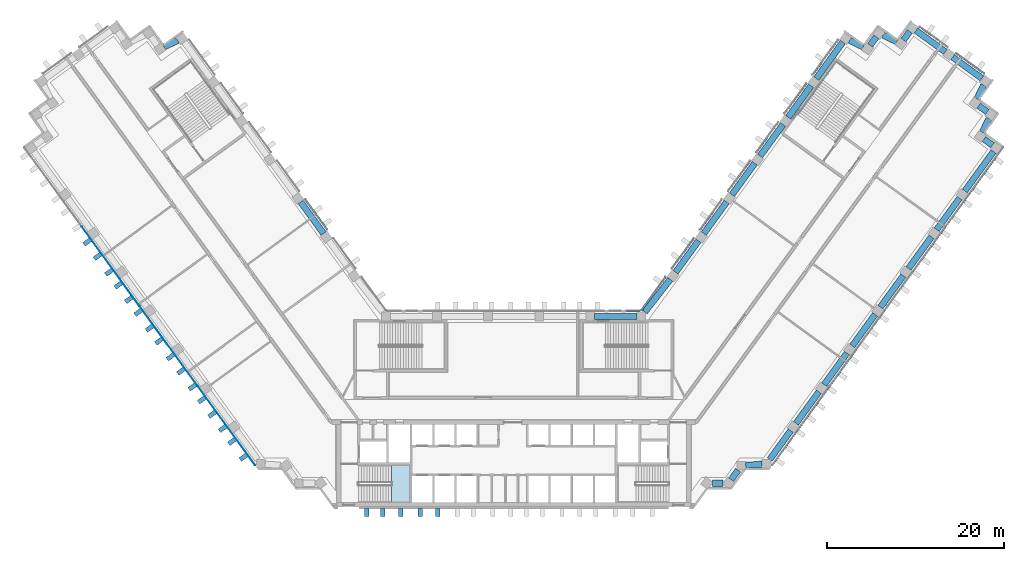
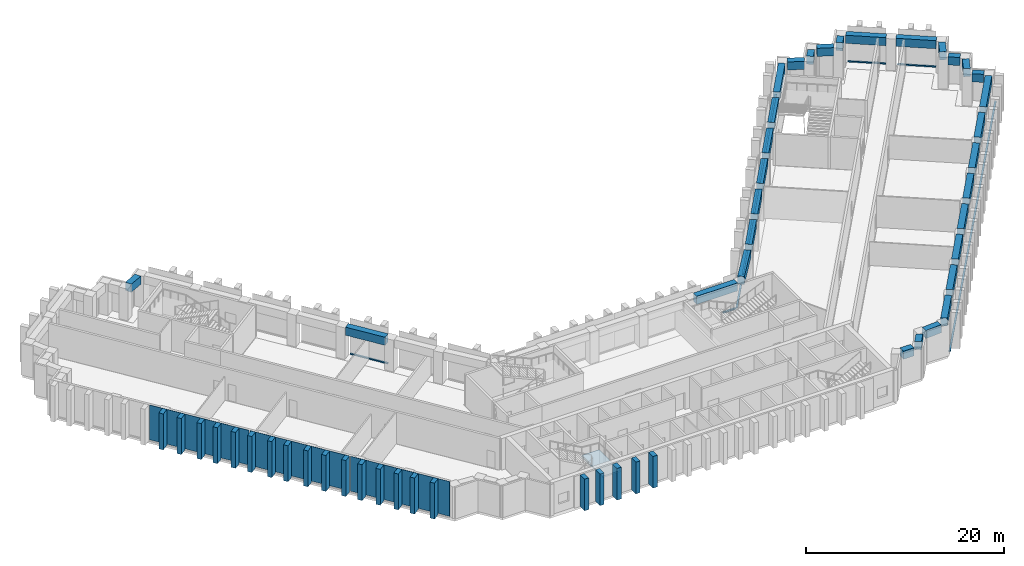
"""IFC4 building model written with IfcOpenShell, lengths in metres."""

from ifc_helpers import new_model, si_unit, direction, frame, origin, origin_2d, place, context, subcontext, project, spatial, polyline, rectangle, outline, extrude, material, layer, layer_set, material_profile, profile_set, type_object, element, aggregate, save


model = new_model("IFC4")

# Units and contexts
model_context = context("Model", 3, precision=1e-05, world=origin(), true_north=direction((0.0, 1.0)))
body_context = subcontext(model_context, "Body", "Model", "MODEL_VIEW")
ifc_project = project(units=[si_unit("LENGTHUNIT", "METRE"), si_unit("AREAUNIT", "SQUARE_METRE"), si_unit("VOLUMEUNIT", "CUBIC_METRE"), si_unit("PLANEANGLEUNIT", "RADIAN"), si_unit("MASSUNIT", "GRAM", prefix="KILO")], contexts=[model_context])

# Site, building, storey
site_placement = place(None, origin())
site = spatial("IfcSite", under=ifc_project, at=site_placement, CompositionType="ELEMENT")
building_placement = place(site_placement, origin())
building = spatial("IfcBuilding", under=site, at=building_placement, Name="Quipu Civic Tower", CompositionType="ELEMENT")
storey_1_placement = place(building_placement, frame((0.0, 0.0, 20.5)))
storey_1 = spatial("IfcBuildingStorey", under=building, at=storey_1_placement, Name="L04", CompositionType="ELEMENT", Elevation=20.5)

# Beams
ifc_material_1 = material(Name="Concrete C50/60", Category="concrete")
ifc_material_profile_1 = material_profile(ifc_material_1, rectangle(XDim=0.699951171875, YDim=1.0, at=origin_2d()), Name="RC700x1000")
ifc_profile_set_1 = profile_set([ifc_material_profile_1], Name="Concrete C50/60")
beam_type = type_object("IfcBeamType", Name="Spandrel beam RC 700x1000 C50/60", PredefinedType="SPANDREL", material=ifc_profile_set_1)
beam_1_placement = place(storey_1_placement, frame((-21.441162109375, 19.848388671875, 3.39990234375), z_axis=(-0.587759228046, 0.809035901457, 0.0), x_axis=(-0.809035901457, -0.587759228046, 0.0)))
element("IfcBeam", 1, at=beam_1_placement, inside=storey_1, type_object=beam_type, Name="Spandrel beam L04 W-IN-02 to W-IN-03", PredefinedType="SPANDREL", context=body_context, shape_type="SweptSolid", body=[
    extrude(rectangle(XDim=0.699951171875, YDim=1.0, at=origin_2d()), origin(), (0.0, 0.0, 1.0), 4.400146484375),
])
beam_2_placement = place(storey_1_placement, frame((-37.8837890625, 41.630859375, 3.39990234375), z_axis=(-0.902482283387, -0.43072697637, 0.0), x_axis=(0.43072697637, -0.902482283387, 0.0)))
element("IfcBeam", 2, at=beam_2_placement, inside=storey_1, type_object=beam_type, Name="Spandrel beam L04 T-Wi.0-W50 to T-Wi.1-W50", PredefinedType="SPANDREL", context=body_context, shape_type="SweptSolid", body=[
    extrude(rectangle(XDim=0.699951171875, YDim=1.0, at=origin_2d()), origin(), (0.0, 0.0, 1.0), 1.731689453125),
])
beam_3_placement = place(storey_1_placement, frame((22.409912109375, -8.31494140625, 3.39990234375), z_axis=(1.0, 0.0, 0.0), x_axis=(0.0, 1.0, 0.0)))
element("IfcBeam", 3, at=beam_3_placement, inside=storey_1, type_object=beam_type, Name="Spandrel beam L04 J-Eo.1 to J-Eo.2", PredefinedType="SPANDREL", context=body_context, shape_type="SweptSolid", body=[
    extrude(rectangle(XDim=0.699951171875, YDim=1.0, at=origin_2d()), origin(), (0.0, 0.0, 1.0), 1.20703125),
])
beam_4_placement = place(storey_1_placement, frame((24.529296875, -7.91064453125, 3.39990234375), z_axis=(0.588346597772, 0.808608855313, 0.0), x_axis=(-0.808608855313, 0.588346597772, 0.0)))
element("IfcBeam", 4, at=beam_4_placement, inside=storey_1, type_object=beam_type, Name="Spandrel beam L04 J-Eo.2 to J-Eo.3", PredefinedType="SPANDREL", context=body_context, shape_type="SweptSolid", body=[
    extrude(rectangle(XDim=0.699951171875, YDim=1.0, at=origin_2d()), origin(), (0.0, 0.0, 1.0), 1.327880859375),
])
beam_5_placement = place(storey_1_placement, frame((26.17431640625, -6.30078125, 3.39990234375), z_axis=(0.997368412419, 0.072499999372, 0.0), x_axis=(-0.072499999372, 0.997368412419, 0.0)))
element("IfcBeam", 5, at=beam_5_placement, inside=storey_1, type_object=beam_type, Name="Spandrel beam L04 J-Eo.3 to J-Eo.4", PredefinedType="SPANDREL", context=body_context, shape_type="SweptSolid", body=[
    extrude(rectangle(XDim=0.699951171875, YDim=1.0, at=origin_2d()), origin(), (0.0, 0.0, 1.0), 1.85546875),
])
beam_6_placement = place(storey_1_placement, frame((28.88818359375, -5.6298828125, 3.39990234375), z_axis=(0.587811022966, 0.808998270258, 0.0), x_axis=(-0.808998270258, 0.587811022966, 0.0)))
element("IfcBeam", 6, at=beam_6_placement, inside=storey_1, type_object=beam_type, Name="Spandrel beam L04 J-Eo.4 to E-OUT-01", PredefinedType="SPANDREL", context=body_context, shape_type="SweptSolid", body=[
    extrude(rectangle(XDim=0.699951171875, YDim=1.0, at=origin_2d()), origin(), (0.0, 0.0, 1.0), 4.025390625),
])
for number, where, z_axis, x_axis, name in (
    (7, (31.84228515625, -1.564208984375, 3.39990234375), (0.587759228046, 0.809035901457, 0.0), (-0.809035901457, 0.587759228046, 0.0), "Spandrel beam L04 E-OUT-01 to E-OUT-02"),
    (8, (35.01611328125, 2.804443359375, 3.39990234375), (0.587759228046, 0.809035901457, 0.0), (-0.809035901457, 0.587759228046, 0.0), "Spandrel beam L04 E-OUT-02 to E-OUT-03"),
    (9, (38.190185546875, 7.173095703125, 3.39990234375), (0.58779554378, 0.809009517072, 0.0), (-0.809009517072, 0.58779554378, 0.0), "Spandrel beam L04 E-OUT-03 to E-OUT-04"),
    (10, (41.3642578125, 11.5419921875, 3.39990234375), (0.587759228046, 0.809035901457, 0.0), (-0.809035901457, 0.587759228046, 0.0), "Spandrel beam L04 E-OUT-04 to E-OUT-05"),
):
    element("IfcBeam", number, at=place(storey_1_placement, frame(where, z_axis=z_axis, x_axis=x_axis)), inside=storey_1, type_object=beam_type, Name=name, PredefinedType="SPANDREL", context=body_context, shape_type="SweptSolid", body=[
        extrude(rectangle(XDim=0.699951171875, YDim=1.0, at=origin_2d()), origin(), (0.0, 0.0, 1.0), 4.400146484375),
    ])
beam_7_placement = place(storey_1_placement, frame((44.538330078125, 15.91064453125, 3.39990234375), z_axis=(0.587785613349, 0.809016732052, 0.0), x_axis=(-0.809016732052, 0.587785613349, 0.0)))
element("IfcBeam", 11, at=beam_7_placement, inside=storey_1, type_object=beam_type, Name="Spandrel beam L04 E-OUT-05 to E-OUT-06", PredefinedType="SPANDREL", context=body_context, shape_type="SweptSolid", body=[
    extrude(rectangle(XDim=0.699951171875, YDim=1.0, at=origin_2d()), origin(), (0.0, 0.0, 1.0), 4.39990234375),
])
beam_8_placement = place(storey_1_placement, frame((47.71240234375, 20.279296875, 3.39990234375), z_axis=(0.587759228046, 0.809035901457, 0.0), x_axis=(-0.809035901457, 0.587759228046, 0.0)))
element("IfcBeam", 12, at=beam_8_placement, inside=storey_1, type_object=beam_type, Name="Spandrel beam L04 E-OUT-06 to E-OUT-07", PredefinedType="SPANDREL", context=body_context, shape_type="SweptSolid", body=[
    extrude(rectangle(XDim=0.699951171875, YDim=1.0, at=origin_2d()), origin(), (0.0, 0.0, 1.0), 4.400146484375),
])
beam_9_placement = place(storey_1_placement, frame((50.88623046875, 24.64794921875, 3.39990234375), z_axis=(0.587765432916, 0.809031393624, 0.0), x_axis=(-0.809031393624, 0.587765432916, 0.0)))
element("IfcBeam", 13, at=beam_9_placement, inside=storey_1, type_object=beam_type, Name="Spandrel beam L04 E-OUT-07 to T-Eo.0-E50", PredefinedType="SPANDREL", context=body_context, shape_type="SweptSolid", body=[
    extrude(rectangle(XDim=0.699951171875, YDim=1.0, at=origin_2d()), origin(), (0.0, 0.0, 1.0), 5.503662109375),
])
beam_10_placement = place(storey_1_placement, frame((54.0107421875, 29.79931640625, 3.39990234375), z_axis=(-0.808630508091, 0.588316837584, 0.0), x_axis=(-0.588316837584, -0.808630508091, 0.0)))
element("IfcBeam", 14, at=beam_10_placement, inside=storey_1, type_object=beam_type, Name="Spandrel beam L04 T-Eo.0-E50 to T-Eo.1-E50", PredefinedType="SPANDREL", context=body_context, shape_type="SweptSolid", body=[
    extrude(rectangle(XDim=0.699951171875, YDim=1.0, at=origin_2d()), origin(), (0.0, 0.0, 1.0), 1.2001953125),
])
beam_11_placement = place(storey_1_placement, frame((52.85546875, 31.258056640625, 3.39990234375), z_axis=(0.431370473785, 0.902174880135, 0.0), x_axis=(-0.902174880135, 0.431370473785, 0.0)))
element("IfcBeam", 15, at=beam_11_placement, inside=storey_1, type_object=beam_type, Name="Spandrel beam L04 T-Eo.1-E50 to T-Eo.2-E50", PredefinedType="SPANDREL", context=body_context, shape_type="SweptSolid", body=[
    extrude(rectangle(XDim=0.699951171875, YDim=1.0, at=origin_2d()), origin(), (0.0, 0.0, 1.0), 1.727294921875),
])
beam_12_placement = place(storey_1_placement, frame((53.415771484375, 33.569091796875, 3.39990234375), z_axis=(-0.808586856323, 0.588376831446, 0.0), x_axis=(-0.588376831446, -0.808586856323, 0.0)))
element("IfcBeam", 16, at=beam_12_placement, inside=storey_1, type_object=beam_type, Name="Spandrel beam L04 T-Eo.2-E50 to T-Eo.3-E50", PredefinedType="SPANDREL", context=body_context, shape_type="SweptSolid", body=[
    extrude(rectangle(XDim=0.699951171875, YDim=1.0, at=origin_2d()), origin(), (0.0, 0.0, 1.0), 1.202880859375),
])
beam_13_placement = place(storey_1_placement, frame((52.257568359375, 35.0302734375, 3.39990234375), z_axis=(0.430185740912, 0.902740399182, 0.0), x_axis=(-0.902740399182, 0.430185740912, 0.0)))
element("IfcBeam", 17, at=beam_13_placement, inside=storey_1, type_object=beam_type, Name="Spandrel beam L04 T-Eo.3-E50 to T-Eo.4-E50", PredefinedType="SPANDREL", context=body_context, shape_type="SweptSolid", body=[
    extrude(rectangle(XDim=0.699951171875, YDim=1.0, at=origin_2d()), origin(), (0.0, 0.0, 1.0), 1.728759765625),
])
beam_14_placement = place(storey_1_placement, frame((52.8154296875, 37.343994140625, 3.39990234375), z_axis=(-0.808980758408, 0.587835123589, 0.0), x_axis=(-0.587835123589, -0.808980758408, 0.0)))
element("IfcBeam", 18, at=beam_14_placement, inside=storey_1, type_object=beam_type, Name="Spandrel beam L04 T-Eo.4-E50 to TIP-E-01-E50", PredefinedType="SPANDREL", context=body_context, shape_type="SweptSolid", body=[
    extrude(rectangle(XDim=0.699951171875, YDim=1.0, at=origin_2d()), origin(), (0.0, 0.0, 1.0), 4.097900390625),
])
beam_15_placement = place(storey_1_placement, frame((48.69140625, 40.3408203125, 3.39990234375), z_axis=(-0.808983206573, 0.587831754401, 0.0), x_axis=(-0.587831754401, -0.808983206573, 0.0)))
element("IfcBeam", 19, at=beam_15_placement, inside=storey_1, type_object=beam_type, Name="Spandrel beam L04 TIP-E-01-E50 to T-Ei.0-E50", PredefinedType="SPANDREL", context=body_context, shape_type="SweptSolid", body=[
    extrude(rectangle(XDim=0.699951171875, YDim=1.0, at=origin_2d()), origin(), (0.0, 0.0, 1.0), 4.10009765625),
])
beam_16_placement = place(storey_1_placement, frame((44.67578125, 42.640625, 3.39990234375), z_axis=(-0.588461629015, -0.808525145667, 0.0), x_axis=(0.808525145667, -0.588461629015, 0.0)))
element("IfcBeam", 20, at=beam_16_placement, inside=storey_1, type_object=beam_type, Name="Spandrel beam L04 T-Ei.0-E50 to T-Ei.1-E50", PredefinedType="SPANDREL", context=body_context, shape_type="SweptSolid", body=[
    extrude(rectangle(XDim=0.699951171875, YDim=1.0, at=origin_2d()), origin(), (0.0, 0.0, 1.0), 1.201416015625),
])
beam_17_placement = place(storey_1_placement, frame((43.215576171875, 41.48388671875, 3.39990234375), z_axis=(-0.902651065962, 0.430373155666, 0.0), x_axis=(-0.430373155666, -0.902651065962, 0.0)))
element("IfcBeam", 21, at=beam_17_placement, inside=storey_1, type_object=beam_type, Name="Spandrel beam L04 T-Ei.1-E50 to T-Ei.2-E50", PredefinedType="SPANDREL", context=body_context, shape_type="SweptSolid", body=[
    extrude(rectangle(XDim=0.699951171875, YDim=1.0, at=origin_2d()), origin(), (0.0, 0.0, 1.0), 1.724609375),
])
beam_18_placement = place(storey_1_placement, frame((40.90576171875, 42.040771484375, 3.39990234375), z_axis=(-0.588316837584, -0.808630508091, 0.0), x_axis=(0.808630508091, -0.588316837584, 0.0)))
element("IfcBeam", 22, at=beam_18_placement, inside=storey_1, type_object=beam_type, Name="Spandrel beam L04 T-Ei.2-E50 to T-Ei.3-E50", PredefinedType="SPANDREL", context=body_context, shape_type="SweptSolid", body=[
    extrude(rectangle(XDim=0.699951171875, YDim=1.0, at=origin_2d()), origin(), (0.0, 0.0, 1.0), 1.2001953125),
])
beam_19_placement = place(storey_1_placement, frame((39.446533203125, 40.885009765625, 3.39990234375), z_axis=(-0.902482283387, 0.43072697637, 0.0), x_axis=(-0.43072697637, -0.902482283387, 0.0)))
element("IfcBeam", 23, at=beam_19_placement, inside=storey_1, type_object=beam_type, Name="Spandrel beam L04 T-Ei.3-E50 to T-Ei.4-E50", PredefinedType="SPANDREL", context=body_context, shape_type="SweptSolid", body=[
    extrude(rectangle(XDim=0.699951171875, YDim=1.0, at=origin_2d()), origin(), (0.0, 0.0, 1.0), 1.731689453125),
])
beam_20_placement = place(storey_1_placement, frame((37.131103515625, 41.445556640625, 3.39990234375), z_axis=(-0.587747065363, -0.809044737426, 0.0), x_axis=(0.809044737426, -0.587747065363, 0.0)))
element("IfcBeam", 24, at=beam_20_placement, inside=storey_1, type_object=beam_type, Name="Spandrel beam L04 T-Ei.4-E50 to E-IN-06", PredefinedType="SPANDREL", context=body_context, shape_type="SweptSolid", body=[
    extrude(rectangle(XDim=0.699951171875, YDim=1.0, at=origin_2d()), origin(), (0.0, 0.0, 1.0), 5.0947265625),
])
for number, where, z_axis, x_axis, name in (
    (25, (33.549072265625, 36.5146484375, 3.39990234375), (-0.587759228046, -0.809035901457, 0.0), (0.809035901457, -0.587759228046, 0.0), "Spandrel beam L04 E-IN-06 to E-IN-05"),
    (26, (30.375244140625, 32.145751953125, 3.39990234375), (-0.587759228046, -0.809035901457, 0.0), (0.809035901457, -0.587759228046, 0.0), "Spandrel beam L04 E-IN-05 to E-IN-04"),
    (27, (27.201416015625, 27.777099609375, 3.39990234375), (-0.587732844487, -0.809055068281, 0.0), (0.809055068281, -0.587732844487, 0.0), "Spandrel beam L04 E-IN-04 to E-IN-03"),
    (28, (24.02734375, 23.408203125, 3.39990234375), (-0.587759228046, -0.809035901457, 0.0), (0.809035901457, -0.587759228046, 0.0), "Spandrel beam L04 E-IN-03 to E-IN-02"),
):
    element("IfcBeam", number, at=place(storey_1_placement, frame(where, z_axis=z_axis, x_axis=x_axis)), inside=storey_1, type_object=beam_type, Name=name, PredefinedType="SPANDREL", context=body_context, shape_type="SweptSolid", body=[
        extrude(rectangle(XDim=0.699951171875, YDim=1.0, at=origin_2d()), origin(), (0.0, 0.0, 1.0), 4.400146484375),
    ])
beam_21_placement = place(storey_1_placement, frame((20.853515625, 19.039306640625, 3.39990234375), z_axis=(-0.587722908759, -0.809062285934, 0.0), x_axis=(0.809062285934, -0.587722908759, 0.0)))
element("IfcBeam", 29, at=beam_21_placement, inside=storey_1, type_object=beam_type, Name="Spandrel beam L04 E-IN-02 to E-IN-01", PredefinedType="SPANDREL", context=body_context, shape_type="SweptSolid", body=[
    extrude(rectangle(XDim=0.699951171875, YDim=1.0, at=origin_2d()), origin(), (0.0, 0.0, 1.0), 4.39990234375),
])
beam_22_placement = place(storey_1_placement, frame((17.665283203125, 14.680908203125, 3.39990234375), z_axis=(-0.616068753057, -0.787692383806, 0.0), x_axis=(0.787692383806, -0.616068753057, 0.0)))
element("IfcBeam", 30, at=beam_22_placement, inside=storey_1, type_object=beam_type, Name="Spandrel beam L04 E-IN-01 to J-Ei.0", PredefinedType="SPANDREL", context=body_context, shape_type="SweptSolid", body=[
    extrude(rectangle(XDim=0.699951171875, YDim=1.0, at=origin_2d()), origin(), (0.0, 0.0, 1.0), 4.673095703125),
])
beam_23_placement = place(storey_1_placement, frame((13.895263671875, 10.5, 3.39990234375), z_axis=(-1.0, 0.0, 0.0), x_axis=(0.0, -1.0, 0.0)))
element("IfcBeam", 31, at=beam_23_placement, inside=storey_1, type_object=beam_type, Name="Spandrel beam L04 J-Ei.0 to FRONT-01", PredefinedType="SPANDREL", context=body_context, shape_type="SweptSolid", body=[
    extrude(rectangle(XDim=0.699951171875, YDim=1.0, at=origin_2d()), origin(), (0.0, 0.0, 1.0), 4.758056640625),
])

# Storey
storey_2_placement = place(building_placement, frame((0.0, 0.0, 16.0)))
storey_2 = spatial("IfcBuildingStorey", under=building, at=storey_2_placement, Name="L03", CompositionType="ELEMENT", Elevation=16.0)

# Curtain wall, member
ifc_material_2 = material(Name="Insulated glass unit", Category="glass")
curtain_wall_type = type_object("IfcCurtainWallType", Name="Public services curtain wall CW3", PredefinedType="NOTDEFINED", material=ifc_material_2)
curtain_wall_1_placement = place(storey_2_placement, origin())
curtain_wall_1 = element("IfcCurtainWall", 32, at=curtain_wall_1_placement, inside=storey_2, type_object=curtain_wall_type, Name="Public services curtain wall CW3 L02 run 3", PredefinedType="NOTDEFINED")
ifc_material_3 = material(Name="Anodised aluminium", Category="aluminium")
ifc_material_profile_2 = material_profile(ifc_material_3, rectangle(XDim=0.199951171875, YDim=0.139892578125, at=origin_2d()), Name="RECT 200x140")
ifc_profile_set_2 = profile_set([ifc_material_profile_2], Name="Anodised aluminium")
member_type = type_object("IfcMemberType", Name="Transom CW3", PredefinedType="USERDEFINED", material=ifc_profile_set_2)
member_1_placement = place(storey_1_placement, frame((-21.01513671875, 20.281494140625, 0.070068359375), z_axis=(-0.587746486169, 0.809045158194, 0.0), x_axis=(-0.809045158194, -0.587746486169, 0.0)))
member_1 = element("IfcMember", 33, at=member_1_placement, inside=storey_1, type_object=member_type, Name="CW3 transom 1.3", ObjectType="TRANSOM", PredefinedType="USERDEFINED", context=body_context, shape_type="SweptSolid", body=[
    extrude(rectangle(XDim=0.199951171875, YDim=0.139892578125, at=origin_2d()), origin(), (0.0, 0.0, 1.0), 4.199951171875),
])
aggregate(curtain_wall_1, [member_1])

# Curtain wall, members
curtain_wall_2_placement = place(storey_2_placement, origin())
curtain_wall_2 = element("IfcCurtainWall", 34, at=curtain_wall_2_placement, inside=storey_2, type_object=curtain_wall_type, Name="Public services curtain wall CW3 L02 run 32", PredefinedType="NOTDEFINED")
member_2_placement = place(storey_1_placement, frame((29.164794921875, -6.2705078125, 0.070068359375), z_axis=(0.587772046886, 0.8090265885, 0.0), x_axis=(-0.8090265885, 0.587772046886, 0.0)))
member_2 = element("IfcMember", 35, at=member_2_placement, inside=storey_1, type_object=member_type, Name="CW3 transom 1.3", ObjectType="TRANSOM", PredefinedType="USERDEFINED", context=body_context, shape_type="SweptSolid", body=[
    extrude(rectangle(XDim=0.199951171875, YDim=0.139892578125, at=origin_2d()), origin(), (0.0, 0.0, 1.0), 10.971435546875),
])
member_3_placement = place(storey_1_placement, frame((35.67236328125, 2.6865234375, 0.070068359375), z_axis=(0.587777818391, 0.809022395368, 0.0), x_axis=(-0.809022395368, 0.587777818391, 0.0)))
member_3 = element("IfcMember", 36, at=member_3_placement, inside=storey_1, type_object=member_type, Name="CW3 transom 2.3", ObjectType="TRANSOM", PredefinedType="USERDEFINED", context=body_context, shape_type="SweptSolid", body=[
    extrude(rectangle(XDim=0.199951171875, YDim=0.139892578125, at=origin_2d()), origin(), (0.0, 0.0, 1.0), 11.021728515625),
])
member_4_placement = place(storey_1_placement, frame((42.20947265625, 11.68408203125, 0.070068359375), z_axis=(0.587788351912, 0.80901474236, 0.0), x_axis=(-0.80901474236, 0.587788351912, 0.0)))
member_4 = element("IfcMember", 37, at=member_4_placement, inside=storey_1, type_object=member_type, Name="CW3 transom 3.3", ObjectType="TRANSOM", PredefinedType="USERDEFINED", context=body_context, shape_type="SweptSolid", body=[
    extrude(rectangle(XDim=0.199951171875, YDim=0.139892578125, at=origin_2d()), origin(), (0.0, 0.0, 1.0), 11.021484375),
])
member_5_placement = place(storey_1_placement, frame((48.746337890625, 20.681640625, 0.070068359375), z_axis=(0.587797192867, 0.809008318905, 0.0), x_axis=(-0.809008318905, 0.587797192867, 0.0)))
member_5 = element("IfcMember", 38, at=member_5_placement, inside=storey_1, type_object=member_type, Name="CW3 transom 4.3", ObjectType="TRANSOM", PredefinedType="USERDEFINED", context=body_context, shape_type="SweptSolid", body=[
    extrude(rectangle(XDim=0.199951171875, YDim=0.139892578125, at=origin_2d()), origin(), (0.0, 0.0, 1.0), 10.971435546875),
])
aggregate(curtain_wall_2, [member_2, member_3, member_4, member_5])

# Curtain wall, member
curtain_wall_3_placement = place(storey_2_placement, origin())
curtain_wall_3 = element("IfcCurtainWall", 39, at=curtain_wall_3_placement, inside=storey_2, type_object=curtain_wall_type, Name="Public services curtain wall CW3 L02 run 37", PredefinedType="NOTDEFINED")
member_6_placement = place(storey_1_placement, frame((53.087158203125, 37.887939453125, 0.070068359375), z_axis=(-0.809009543625, 0.587795507233, 0.0), x_axis=(-0.587795507233, -0.809009543625, 0.0)))
member_6 = element("IfcMember", 40, at=member_6_placement, inside=storey_1, type_object=member_type, Name="CW3 transom 1.3", ObjectType="TRANSOM", PredefinedType="USERDEFINED", context=body_context, shape_type="SweptSolid", body=[
    extrude(rectangle(XDim=0.199951171875, YDim=0.139892578125, at=origin_2d()), origin(), (0.0, 0.0, 1.0), 3.89794921875),
])
aggregate(curtain_wall_3, [member_6])

curtain_wall_4_placement = place(storey_2_placement, origin())
curtain_wall_4 = element("IfcCurtainWall", 41, at=curtain_wall_4_placement, inside=storey_2, type_object=curtain_wall_type, Name="Public services curtain wall CW3 L02 run 38", PredefinedType="NOTDEFINED")
member_7_placement = place(storey_1_placement, frame((48.962646484375, 40.884521484375, 0.070068359375), z_axis=(-0.809041868783, 0.587751014083, 0.0), x_axis=(-0.587751014083, -0.809041868783, 0.0)))
member_7 = element("IfcMember", 42, at=member_7_placement, inside=storey_1, type_object=member_type, Name="CW3 transom 1.3", ObjectType="TRANSOM", PredefinedType="USERDEFINED", context=body_context, shape_type="SweptSolid", body=[
    extrude(rectangle(XDim=0.199951171875, YDim=0.139892578125, at=origin_2d()), origin(), (0.0, 0.0, 1.0), 3.89990234375),
])
aggregate(curtain_wall_4, [member_7])

curtain_wall_5_placement = place(storey_2_placement, origin())
curtain_wall_5 = element("IfcCurtainWall", 43, at=curtain_wall_5_placement, inside=storey_2, type_object=curtain_wall_type, Name="Public services curtain wall CW3 L02 run 43", PredefinedType="NOTDEFINED")
member_8_placement = place(storey_1_placement, frame((36.588134765625, 41.71630859375, 0.070068359375), z_axis=(-0.587792001702, -0.809012090599, 0.0), x_axis=(0.809012090599, -0.587792001702, 0.0)))
member_8 = element("IfcMember", 44, at=member_8_placement, inside=storey_1, type_object=member_type, Name="CW3 transom 1.3", ObjectType="TRANSOM", PredefinedType="USERDEFINED", context=body_context, shape_type="SweptSolid", body=[
    extrude(rectangle(XDim=0.199951171875, YDim=0.139892578125, at=origin_2d()), origin(), (0.0, 0.0, 1.0), 4.89453125),
])
aggregate(curtain_wall_5, [member_8])

curtain_wall_6_placement = place(storey_2_placement, origin())
curtain_wall_6 = element("IfcCurtainWall", 45, at=curtain_wall_6_placement, inside=storey_2, type_object=curtain_wall_type, Name="Public services curtain wall CW3 L02 run 44", PredefinedType="NOTDEFINED")
member_9_placement = place(storey_1_placement, frame((33.005859375, 36.78564453125, 0.070068359375), z_axis=(-0.587784533062, -0.809017516926, 0.0), x_axis=(0.809017516926, -0.587784533062, 0.0)))
member_9 = element("IfcMember", 46, at=member_9_placement, inside=storey_1, type_object=member_type, Name="CW3 transom 1.3", ObjectType="TRANSOM", PredefinedType="USERDEFINED", context=body_context, shape_type="SweptSolid", body=[
    extrude(rectangle(XDim=0.199951171875, YDim=0.139892578125, at=origin_2d()), origin(), (0.0, 0.0, 1.0), 4.2001953125),
])
aggregate(curtain_wall_6, [member_9])

curtain_wall_7_placement = place(storey_2_placement, origin())
curtain_wall_7 = element("IfcCurtainWall", 47, at=curtain_wall_7_placement, inside=storey_2, type_object=curtain_wall_type, Name="Public services curtain wall CW3 L02 run 45", PredefinedType="NOTDEFINED")
member_10_placement = place(storey_1_placement, frame((29.831787109375, 32.4169921875, 0.070068359375), z_axis=(-0.587746486169, -0.809045158194, 0.0), x_axis=(0.809045158194, -0.587746486169, 0.0)))
member_10 = element("IfcMember", 48, at=member_10_placement, inside=storey_1, type_object=member_type, Name="CW3 transom 1.3", ObjectType="TRANSOM", PredefinedType="USERDEFINED", context=body_context, shape_type="SweptSolid", body=[
    extrude(rectangle(XDim=0.199951171875, YDim=0.139892578125, at=origin_2d()), origin(), (0.0, 0.0, 1.0), 4.199951171875),
])
aggregate(curtain_wall_7, [member_10])

curtain_wall_8_placement = place(storey_2_placement, origin())
curtain_wall_8 = element("IfcCurtainWall", 49, at=curtain_wall_8_placement, inside=storey_2, type_object=curtain_wall_type, Name="Public services curtain wall CW3 L02 run 46", PredefinedType="NOTDEFINED")
member_11_placement = place(storey_1_placement, frame((26.65771484375, 28.048095703125, 0.070068359375), z_axis=(-0.587812175236, -0.808997433027, 0.0), x_axis=(0.808997433027, -0.587812175236, 0.0)))
member_11 = element("IfcMember", 50, at=member_11_placement, inside=storey_1, type_object=member_type, Name="CW3 transom 1.3", ObjectType="TRANSOM", PredefinedType="USERDEFINED", context=body_context, shape_type="SweptSolid", body=[
    extrude(rectangle(XDim=0.199951171875, YDim=0.139892578125, at=origin_2d()), origin(), (0.0, 0.0, 1.0), 4.199951171875),
])
aggregate(curtain_wall_8, [member_11])

curtain_wall_9_placement = place(storey_2_placement, origin())
curtain_wall_9 = element("IfcCurtainWall", 51, at=curtain_wall_9_placement, inside=storey_2, type_object=curtain_wall_type, Name="Public services curtain wall CW3 L02 run 47", PredefinedType="NOTDEFINED")
member_12_placement = place(storey_1_placement, frame((23.483642578125, 23.679443359375, 0.070068359375), z_axis=(-0.587746486169, -0.809045158194, 0.0), x_axis=(0.809045158194, -0.587746486169, 0.0)))
member_12 = element("IfcMember", 52, at=member_12_placement, inside=storey_1, type_object=member_type, Name="CW3 transom 1.3", ObjectType="TRANSOM", PredefinedType="USERDEFINED", context=body_context, shape_type="SweptSolid", body=[
    extrude(rectangle(XDim=0.199951171875, YDim=0.139892578125, at=origin_2d()), origin(), (0.0, 0.0, 1.0), 4.199951171875),
])
aggregate(curtain_wall_9, [member_12])

curtain_wall_10_placement = place(storey_2_placement, origin())
curtain_wall_10 = element("IfcCurtainWall", 53, at=curtain_wall_10_placement, inside=storey_2, type_object=curtain_wall_type, Name="Public services curtain wall CW3 L02 run 48", PredefinedType="NOTDEFINED")
member_13_placement = place(storey_1_placement, frame((20.309814453125, 19.310791015625, 0.070068359375), z_axis=(-0.587812175236, -0.808997433027, 0.0), x_axis=(0.808997433027, -0.587812175236, 0.0)))
member_13 = element("IfcMember", 54, at=member_13_placement, inside=storey_1, type_object=member_type, Name="CW3 transom 1.3", ObjectType="TRANSOM", PredefinedType="USERDEFINED", context=body_context, shape_type="SweptSolid", body=[
    extrude(rectangle(XDim=0.199951171875, YDim=0.139892578125, at=origin_2d()), origin(), (0.0, 0.0, 1.0), 4.199951171875),
])
aggregate(curtain_wall_10, [member_13])

curtain_wall_11_placement = place(storey_2_placement, origin())
curtain_wall_11 = element("IfcCurtainWall", 55, at=curtain_wall_11_placement, inside=storey_2, type_object=curtain_wall_type, Name="Public services curtain wall CW3 L02 run 49", PredefinedType="NOTDEFINED")
member_14_placement = place(storey_1_placement, frame((17.1357421875, 14.942138671875, 0.070068359375), z_axis=(-0.587781327652, -0.809019845779, 0.0), x_axis=(0.809019845779, -0.587781327652, 0.0)))
member_14 = element("IfcMember", 56, at=member_14_placement, inside=storey_1, type_object=member_type, Name="CW3 transom 1.3", ObjectType="TRANSOM", PredefinedType="USERDEFINED", context=body_context, shape_type="SweptSolid", body=[
    extrude(rectangle(XDim=0.199951171875, YDim=0.139892578125, at=origin_2d()), origin(), (0.0, 0.0, 1.0), 4.649169921875),
])
aggregate(curtain_wall_11, [member_14])

curtain_wall_12_placement = place(storey_2_placement, origin())
curtain_wall_12 = element("IfcCurtainWall", 57, at=curtain_wall_12_placement, inside=storey_2, type_object=curtain_wall_type, Name="Public services curtain wall CW3 L02 run 50", PredefinedType="NOTDEFINED")
member_15_placement = place(storey_1_placement, frame((14.244140625, 11.10009765625, 0.070068359375), z_axis=(-1.0, 0.0, 0.0), x_axis=(0.0, -1.0, 0.0)))
member_15 = element("IfcMember", 58, at=member_15_placement, inside=storey_1, type_object=member_type, Name="CW3 transom 1.3", ObjectType="TRANSOM", PredefinedType="USERDEFINED", context=body_context, shape_type="SweptSolid", body=[
    extrude(rectangle(XDim=0.199951171875, YDim=0.139892578125, at=origin_2d()), origin(), (0.0, 0.0, 1.0), 1.4892578125),
])
aggregate(curtain_wall_12, [member_15])

# Curtain wall, plates
curtain_wall_13_placement = place(storey_2_placement, origin())
curtain_wall_13 = element("IfcCurtainWall", 59, at=curtain_wall_13_placement, inside=storey_2, type_object=curtain_wall_type, Name="Public services curtain wall CW3 L02 run 18", PredefinedType="NOTDEFINED")
ifc_material_4 = material(Name="Insulated glass unit", Category="glass")
ifc_layer_1 = layer(ifc_material_4, 0.031982421875)
ifc_layer_set_1 = layer_set([ifc_layer_1], Name="Insulated glass unit")
plate_type_1 = type_object("IfcPlateType", Name="Glass panel CW3", PredefinedType="CURTAIN_PANEL", material=ifc_layer_set_1)
plate_1_placement = place(storey_1_placement, frame((-45.448486328125, 16.142333984375, 0.139892578125), z_axis=(0.0, 0.0, 1.0), x_axis=(0.587785356329, -0.809016918788, 0.0)))
plate_1 = element("IfcPlate", 60, at=plate_1_placement, inside=storey_1, type_object=plate_type_1, Name="CW3 panel 2.3", PredefinedType="CURTAIN_PANEL", context=body_context, shape_type="SweptSolid", body=[
    extrude(rectangle(XDim=11.021484375, YDim=0.031982421875, at=origin_2d()), origin(), (0.0, 0.0, 1.0), 4.2900390625),
])
plate_2_placement = place(storey_1_placement, frame((-38.911376953125, 7.14501953125, 0.139892578125), z_axis=(0.0, 0.0, 1.0), x_axis=(0.587785356329, -0.809016918788, 0.0)))
plate_2 = element("IfcPlate", 61, at=plate_2_placement, inside=storey_1, type_object=plate_type_1, Name="CW3 panel 3.3", PredefinedType="CURTAIN_PANEL", context=body_context, shape_type="SweptSolid", body=[
    extrude(rectangle(XDim=11.021484375, YDim=0.031982421875, at=origin_2d()), origin(), (0.0, 0.0, 1.0), 4.2900390625),
])
plate_3_placement = place(storey_1_placement, frame((-32.38916015625, -1.832275390625, 0.139892578125), z_axis=(0.0, 0.0, 1.0), x_axis=(0.587785356329, -0.809016918788, 0.0)))
plate_3 = element("IfcPlate", 62, at=plate_3_placement, inside=storey_1, type_object=plate_type_1, Name="CW3 panel 4.3", PredefinedType="CURTAIN_PANEL", context=body_context, shape_type="SweptSolid", body=[
    extrude(rectangle(XDim=10.971435546875, YDim=0.031982421875, at=origin_2d()), origin(), (0.0, 0.0, 1.0), 4.2900390625),
])
aggregate(curtain_wall_13, [plate_1, plate_2, plate_3])

# Plates
ifc_material_5 = material(Name="Precast concrete C40/50", Category="concrete")
plate_type_2 = type_object("IfcPlateType", Name="Precast fin F0", PredefinedType="SHEET", material=ifc_material_5)
for number, where, z_axis, x_axis, name in (
    (63, (-48.11669921875, 18.87890625, 0.06982421875), (0.0, 0.0, 1.0), (0.587785716149, -0.809016657363, 0.0), "Precast fin F0 L04.P18.7"),
    (64, (-46.94091796875, 17.260986328125, 0.06982421875), (0.0, 0.0, 1.0), (0.587785716149, -0.809016657363, 0.0), "Precast fin F0 L04.P18.8"),
    (65, (-45.64794921875, 15.481201171875, 0.06982421875), (0.0, 0.0, 1.0), (0.587785716149, -0.809016657363, 0.0), "Precast fin F0 L04.P18.9"),
    (66, (-44.58984375, 14.02490234375, 0.06982421875), (0.0, 0.0, 1.0), (0.587785716149, -0.809016657363, 0.0), "Precast fin F0 L04.P18.10"),
    (67, (-43.414306640625, 12.406982421875, 0.06982421875), (0.0, 0.0, 1.0), (0.587785716149, -0.809016657363, 0.0), "Precast fin F0 L04.P18.11"),
    (68, (-42.356201171875, 10.95068359375, 0.06982421875), (0.0, 0.0, 1.0), (0.587785716149, -0.809016657363, 0.0), "Precast fin F0 L04.P18.12"),
    (69, (-41.063232421875, 9.1708984375, 0.06982421875), (0.0, 0.0, 1.0), (0.587785716149, -0.809016657363, 0.0), "Precast fin F0 L04.P18.13"),
    (70, (-40.005126953125, 7.714599609375, 0.06982421875), (0.0, 0.0, 1.0), (0.587785716149, -0.809016657363, 0.0), "Precast fin F0 L04.P18.14"),
    (71, (-38.7119140625, 5.934814453125, 0.06982421875), (0.0, 0.0, 1.0), (0.587785716149, -0.809016657363, 0.0), "Precast fin F0 L04.P18.15"),
    (72, (-37.536376953125, 4.316650390625, 0.06982421875), (0.0, 0.0, 1.0), (0.587785716149, -0.809016657363, 0.0), "Precast fin F0 L04.P18.16"),
    (73, (-36.243408203125, 2.536865234375, 0.06982421875), (0.0, 0.0, 1.0), (0.587785716149, -0.809016657363, 0.0), "Precast fin F0 L04.P18.17"),
    (74, (-35.185302734375, 1.08056640625, 0.06982421875), (0.0, 0.0, 1.0), (0.587785716149, -0.809016657363, 0.0), "Precast fin F0 L04.P18.18"),
    (75, (-34.009765625, -0.537353515625, 0.06982421875), (0.0, 0.0, 1.0), (0.587785716149, -0.809016657363, 0.0), "Precast fin F0 L04.P18.19"),
    (76, (-32.834228515625, -2.155517578125, 0.06982421875), (0.0, 0.0, 1.0), (0.587785716149, -0.809016657363, 0.0), "Precast fin F0 L04.P18.20"),
    (77, (-31.776123046875, -3.611572265625, 0.06982421875), (0.0, 0.0, 1.0), (0.587785716149, -0.809016657363, 0.0), "Precast fin F0 L04.P18.21"),
    (78, (-30.48291015625, -5.391357421875, 0.06982421875), (0.0, 0.0, 1.0), (0.587785716149, -0.809016657363, 0.0), "Precast fin F0 L04.P18.22"),
):
    element("IfcPlate", number, at=place(storey_1_placement, frame(where, z_axis=z_axis, x_axis=x_axis)), inside=storey_1, type_object=plate_type_2, Name=name, PredefinedType="SHEET", context=body_context, shape_type="SweptSolid", body=[
        extrude(rectangle(XDim=0.5, YDim=0.89990234375, at=origin_2d()), origin(), (0.0, 0.0, 1.0), 4.429931640625),
    ])
for number, where, z_axis, x_axis, name in (
    (79, (-16.550048828125, -11.637939453125, 0.0), (0.0, 0.0, 1.0), (1.0, 0.0, 0.0), "Precast fin F0 L04.P26.1"),
    (80, (-14.75, -11.637939453125, 0.0), (0.0, 0.0, 1.0), (1.0, 0.0, 0.0), "Precast fin F0 L04.P26.2"),
    (81, (-12.75, -11.637939453125, 0.0), (0.0, 0.0, 1.0), (1.0, 0.0, 0.0), "Precast fin F0 L04.P26.3"),
    (82, (-10.550048828125, -11.637939453125, 0.0), (0.0, 0.0, 1.0), (1.0, 0.0, 0.0), "Precast fin F0 L04.P26.4"),
    (83, (-8.550048828125, -11.637939453125, 0.0), (0.0, 0.0, 1.0), (1.0, 0.0, 0.0), "Precast fin F0 L04.P26.5"),
):
    element("IfcPlate", number, at=place(storey_1_placement, frame(where, z_axis=z_axis, x_axis=x_axis)), inside=storey_1, type_object=plate_type_2, Name=name, PredefinedType="SHEET", context=body_context, shape_type="SweptSolid", body=[
        extrude(rectangle(XDim=0.5, YDim=0.89990234375, at=origin_2d()), origin(), (0.0, 0.0, 1.0), 3.89990234375),
    ])

# Stair, slab
ifc_material_6 = material(Name="Concrete C40/50", Category="concrete")
stair_type = type_object("IfcStairType", Name="Half turn stair 2000", PredefinedType="HALF_TURN_STAIR", material=ifc_material_6)
stair_placement = place(storey_1_placement, origin())
stair = element("IfcStair", 84, at=stair_placement, inside=storey_1, type_object=stair_type, Name="Exit stair 1", PredefinedType="HALF_TURN_STAIR")
ifc_material_7 = material(Name="Concrete C40/50", Category="concrete")
ifc_layer_2 = layer(ifc_material_7, 0.199951171875)
ifc_layer_set_2 = layer_set([ifc_layer_2], Name="Concrete C40/50")
slab_type = type_object("IfcSlabType", Name="Stair landing 200", PredefinedType="LANDING", material=ifc_layer_set_2)
slab_placement = place(storey_1_placement, frame((0.0, 0.0, 2.050048828125)))
slab = element("IfcSlab", 85, at=slab_placement, type_object=slab_type, Name="ST-1 landing 1", PredefinedType="LANDING", context=body_context, shape_type="SweptSolid", body=[
    extrude(outline(polyline([(-13.780029296875, -10.5), (-11.699951171875, -10.5), (-11.699951171875, -6.25), (-13.780029296875, -6.25), (-13.780029296875, -10.5)])), origin(), (0.0, 0.0, 1.0), 0.199951171875),
])
aggregate(stair, [slab])

save(model, "model.ifc")
